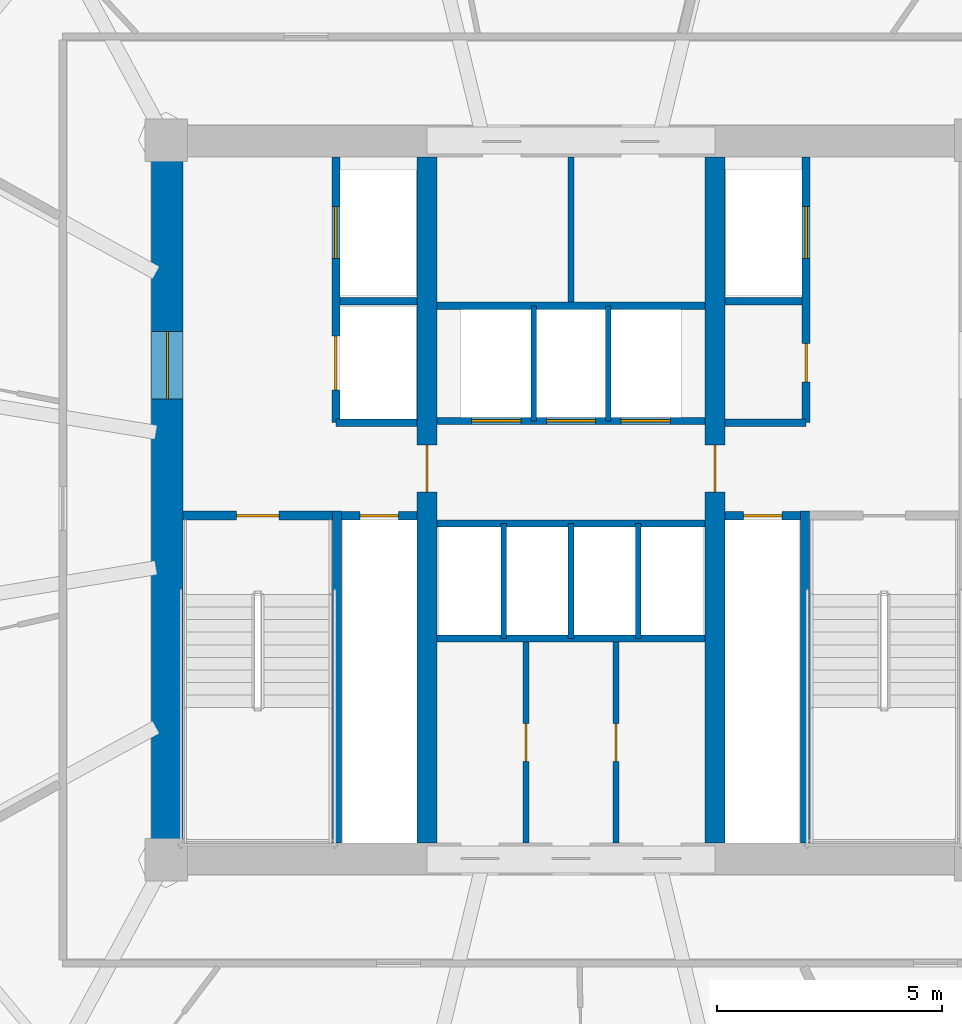
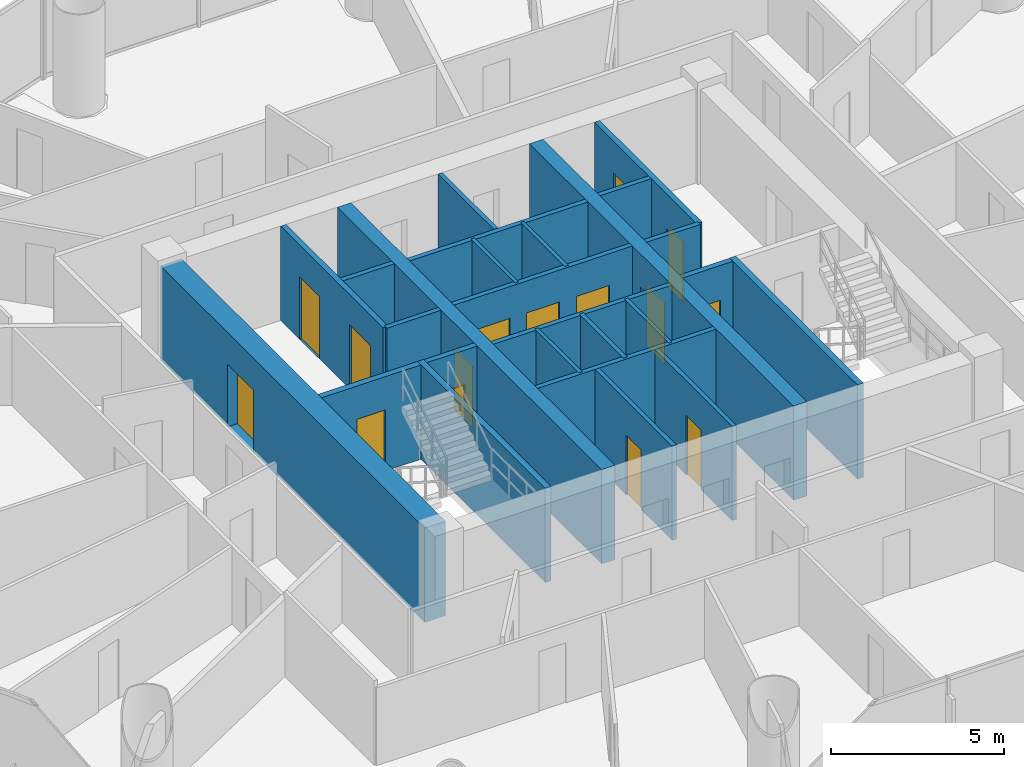
# One storey, part 22 of 28: 26 walls, 15 doors, 15 openings.
"""IFC4 building model written with IfcOpenShell, lengths in metres."""

from ifc_helpers import new_model, si_unit, direction, frame, frame_2d, origin, place, context, subcontext, project, spatial, rectangle, extrude, source, transform, mapped, material, layer, layer_set, type_object, element, fill, save


model = new_model("IFC4")

# Units and contexts
model_context = context("Model", 3, precision=1e-05, world=origin(), true_north=direction((-0.2419218956, 0.970295726276)))
body_context = subcontext(model_context, "Body", "Model", "MODEL_VIEW")
ifc_project = project(units=[si_unit("LENGTHUNIT", "METRE"), si_unit("AREAUNIT", "SQUARE_METRE"), si_unit("VOLUMEUNIT", "CUBIC_METRE"), si_unit("PLANEANGLEUNIT", "RADIAN"), si_unit("MASSUNIT", "GRAM", prefix="KILO")], contexts=[model_context])

# Site, building, storey
site_placement = place(None, origin())
site = spatial("IfcSite", under=ifc_project, at=site_placement, CompositionType="ELEMENT")
building_placement = place(site_placement, origin())
building = spatial("IfcBuilding", under=site, at=building_placement, Name="Cobrevalo Terracotta Tower", CompositionType="ELEMENT")
storey_placement = place(building_placement, frame((0.0, 0.0, 101.39990234375)))
storey = spatial("IfcBuildingStorey", under=building, at=storey_placement, Name="L26", CompositionType="ELEMENT", Elevation=101.39990234375)

# Wall, opening, door
ifc_material_1 = material(Name="Concrete C60", Category="concrete")
ifc_layer_1 = layer(ifc_material_1, 0.699951171875)
ifc_layer_set_1 = layer_set([ifc_layer_1], Name="Concrete C60")
wall_type_1 = type_object("IfcWallType", Name="Core shear wall 700 mm Concrete C60", PredefinedType="SHEAR", material=ifc_layer_set_1)
wall_1_placement = place(storey_placement, frame((29.02490234375, 19.175048828125, 0.0), z_axis=(0.0, 0.0, 1.0), x_axis=(0.0, 1.0, 0.0)))
wall_1 = element("IfcWall", 1, at=wall_1_placement, inside=storey, type_object=wall_type_1, Name="L26 west core shear wall", PredefinedType="SHEAR", context=body_context, shape_type="SweptSolid", body=[
    extrude(rectangle(XDim=15.25, YDim=0.699951171875, at=frame_2d((7.625, 0.0))), origin(), (0.0, 0.0, 1.0), 3.3251953125),
])
opening_1_placement = place(wall_1_placement, frame((9.875, 0.0, 0.0)))
opening_1 = element("IfcOpeningElement", 2, at=opening_1_placement, cuts=wall_1, Name="Opening ID-14", PredefinedType="OPENING", context=body_context, shape_type="SweptSolid", body=[
    extrude(rectangle(XDim=1.5, YDim=2.199951171875, at=frame_2d((0.75, 1.10009765625))), frame((0.0, 0.35986328125, 0.0), z_axis=(0.0, -1.0, 0.0), x_axis=(1.0, 0.0, 0.0)), (0.0, 0.0, 1.0), 0.719970703125),
])
ifc_material_2 = material(Name="Galvanized fire-rated steel", Category="steel")
door_type_1 = type_object("IfcDoorType", Name="Core cross-lobby double fire door 1500x2200 EI 90", OperationType="NOTDEFINED", PredefinedType="DOOR", material=ifc_material_2)
shared_shape_1 = source(origin(), body_context, "Body", "SweptSolid", [
    extrude(rectangle(XDim=1.5, YDim=2.199951171875, at=frame_2d((0.75, 1.10009765625))), frame((0.0, 0.02490234375, 0.0), z_axis=(0.0, -1.0, 0.0), x_axis=(1.0, 0.0, 0.0)), (0.0, 0.0, 1.0), 0.050048828125),
])
door_1_placement = place(opening_1_placement, origin())
door_1 = element("IfcDoor", 3, at=door_1_placement, inside=storey, type_object=door_type_1, Name="L26 west firefighting lobby entrance door", OperationType="DOUBLE_DOOR_SINGLE_SWING", OverallHeight=2.199951171875, OverallWidth=1.5, PredefinedType="DOOR", context=body_context, shape_type="MappedRepresentation", body=[
    mapped(shared_shape_1, transform((0.0, 0.0, 0.0), scale=1.0)),
])
fill(opening_1, door_1)

# Walls
ifc_material_3 = material(Name="Gypsum board on steel stud", Category="steel")
ifc_layer_2 = layer(ifc_material_3, 0.159912109375)
ifc_layer_set_2 = layer_set([ifc_layer_2], Name="Gypsum board on steel stud")
wall_type_2 = type_object("IfcWallType", Name="Fire-rated corridor acoustic partition wall 160 mm", PredefinedType="PARTITIONING", material=ifc_layer_set_2)
wall_2_placement = place(storey_placement, frame((32.860107421875, 31.219970703125, 0.0), z_axis=(0.0, 0.0, 1.0), x_axis=(1.0, 0.0, 0.0)))
element("IfcWall", 4, at=wall_2_placement, inside=storey, type_object=wall_type_2, Name="L26 interior partition IW-L26-FF1-M", PredefinedType="PARTITIONING", context=body_context, shape_type="SweptSolid", body=[
    extrude(rectangle(XDim=1.71484375, YDim=0.159912109375, at=frame_2d((0.857421875, 0.0))), origin(), (0.0, 0.0, 1.0), 3.3251953125),
])
wall_3_placement = place(storey_placement, frame((32.77001953125, 28.52001953125, 0.0), z_axis=(0.0, 0.0, 1.0), x_axis=(1.0, 0.0, 0.0)))
element("IfcWall", 5, at=wall_3_placement, inside=storey, type_object=wall_type_2, Name="L26 interior partition IW-L26-FF1-S", PredefinedType="PARTITIONING", context=body_context, shape_type="SweptSolid", body=[
    extrude(rectangle(XDim=1.804931640625, YDim=0.159912109375, at=frame_2d((0.90234375, 0.0))), origin(), (0.0, 0.0, 1.0), 3.3251953125),
])
wall_4_placement = place(storey_placement, frame((41.425048828125, 31.219970703125, 0.0), z_axis=(0.0, 0.0, 1.0), x_axis=(1.0, 0.0, 0.0)))
element("IfcWall", 6, at=wall_4_placement, inside=storey, type_object=wall_type_2, Name="L26 interior partition IW-L26-FF2-M", PredefinedType="PARTITIONING", context=body_context, shape_type="SweptSolid", body=[
    extrude(rectangle(XDim=1.71484375, YDim=0.159912109375, at=frame_2d((0.857421875, 0.0))), origin(), (0.0, 0.0, 1.0), 3.3251953125),
])
wall_5_placement = place(storey_placement, frame((41.425048828125, 28.52001953125, 0.0), z_axis=(0.0, 0.0, 1.0), x_axis=(1.0, 0.0, 0.0)))
element("IfcWall", 7, at=wall_5_placement, inside=storey, type_object=wall_type_2, Name="L26 interior partition IW-L26-FF2-S", PredefinedType="PARTITIONING", context=body_context, shape_type="SweptSolid", body=[
    extrude(rectangle(XDim=1.804931640625, YDim=0.159912109375, at=frame_2d((0.90234375, 0.0))), origin(), (0.0, 0.0, 1.0), 3.3251953125),
])

# Wall, openings, doors
wall_6_placement = place(storey_placement, frame((35.02490234375, 28.56005859375, 0.0), z_axis=(0.0, 0.0, 1.0), x_axis=(1.0, 0.0, 0.0)))
wall_6 = element("IfcWall", 8, at=wall_6_placement, inside=storey, type_object=wall_type_2, Name="L26 interior partition IW-L26-LB-S", PredefinedType="PARTITIONING", context=body_context, shape_type="SweptSolid", body=[
    extrude(rectangle(XDim=5.9501953125, YDim=0.159912109375, at=frame_2d((2.97509765625, 0.0))), origin(), (0.0, 0.0, 1.0), 3.3251953125),
])
opening_2_placement = place(wall_6_placement, frame((0.760009765625, 0.0, 0.0)))
opening_2 = element("IfcOpeningElement", 9, at=opening_2_placement, cuts=wall_6, Name="Opening LD-01", PredefinedType="OPENING", context=body_context, shape_type="SweptSolid", body=[
    extrude(rectangle(XDim=1.10009765625, YDim=2.199951171875, at=frame_2d((0.550048828125, 1.10009765625))), frame((0.0, 0.08984375, 0.0), z_axis=(0.0, -1.0, 0.0), x_axis=(1.0, 0.0, 0.0)), (0.0, 0.0, 1.0), 0.179931640625),
])
opening_3_placement = place(wall_6_placement, frame((2.425048828125, 0.0, 0.0)))
opening_3 = element("IfcOpeningElement", 10, at=opening_3_placement, cuts=wall_6, Name="Opening LD-01", PredefinedType="OPENING", context=body_context, shape_type="SweptSolid", body=[
    extrude(rectangle(XDim=1.10009765625, YDim=2.199951171875, at=frame_2d((0.550048828125, 1.10009765625))), frame((0.0, 0.08984375, 0.0), z_axis=(0.0, -1.0, 0.0), x_axis=(1.0, 0.0, 0.0)), (0.0, 0.0, 1.0), 0.179931640625),
])
opening_4_placement = place(wall_6_placement, frame((4.090087890625, 0.0, 0.0)))
opening_4 = element("IfcOpeningElement", 11, at=opening_4_placement, cuts=wall_6, Name="Opening LD-01", PredefinedType="OPENING", context=body_context, shape_type="SweptSolid", body=[
    extrude(rectangle(XDim=1.10009765625, YDim=2.199951171875, at=frame_2d((0.550048828125, 1.10009765625))), frame((0.0, 0.08984375, 0.0), z_axis=(0.0, -1.0, 0.0), x_axis=(1.0, 0.0, 0.0)), (0.0, 0.0, 1.0), 0.179931640625),
])
ifc_material_4 = material(Name="Brushed stainless steel", Category="steel")
door_type_2 = type_object("IfcDoorType", Name="Passenger lift landing bi-parting sliding door 1100x2200 EI 90", OperationType="DOUBLE_DOOR_SLIDING", PredefinedType="DOOR", material=ifc_material_4)
shared_shape_2 = source(origin(), body_context, "Body", "SweptSolid", [
    extrude(rectangle(XDim=1.10009765625, YDim=2.199951171875, at=frame_2d((0.550048828125, 1.10009765625))), frame((0.0, 0.02490234375, 0.0), z_axis=(0.0, -1.0, 0.0), x_axis=(1.0, 0.0, 0.0)), (0.0, 0.0, 1.0), 0.050048828125),
])
door_2_placement = place(opening_2_placement, origin())
door_2 = element("IfcDoor", 12, at=door_2_placement, inside=storey, type_object=door_type_2, Name="L26 lift landing door PL-L1", OperationType="DOUBLE_DOOR_SLIDING", OverallHeight=2.199951171875, OverallWidth=1.10009765625, PredefinedType="DOOR", context=body_context, shape_type="MappedRepresentation", body=[
    mapped(shared_shape_2, transform((0.0, 0.0, 0.0), scale=1.0)),
])
fill(opening_2, door_2)
door_3_placement = place(opening_3_placement, origin())
door_3 = element("IfcDoor", 13, at=door_3_placement, inside=storey, type_object=door_type_2, Name="L26 lift landing door PL-L2", OperationType="DOUBLE_DOOR_SLIDING", OverallHeight=2.199951171875, OverallWidth=1.10009765625, PredefinedType="DOOR", context=body_context, shape_type="MappedRepresentation", body=[
    mapped(shared_shape_2, transform((0.0, 0.0, 0.0), scale=1.0)),
])
fill(opening_3, door_3)
door_4_placement = place(opening_4_placement, origin())
door_4 = element("IfcDoor", 14, at=door_4_placement, inside=storey, type_object=door_type_2, Name="L26 lift landing door PL-L3", OperationType="DOUBLE_DOOR_SLIDING", OverallHeight=2.199951171875, OverallWidth=1.10009765625, PredefinedType="DOOR", context=body_context, shape_type="MappedRepresentation", body=[
    mapped(shared_shape_2, transform((0.0, 0.0, 0.0), scale=1.0)),
])
fill(opening_4, door_4)

# Walls
for number, where, z_axis, x_axis, name in (
    (15, (35.02490234375, 31.1201171875, 0.0), (0.0, 0.0, 1.0), (1.0, 0.0, 0.0), "L26 interior partition IW-L26-LB-N"),
    (16, (35.02490234375, 26.280029296875, 0.0), (0.0, 0.0, 1.0), (1.0, 0.0, 0.0), "L26 interior partition IW-L26-MB-N"),
    (17, (35.02490234375, 23.719970703125, 0.0), (0.0, 0.0, 1.0), (1.0, 0.0, 0.0), "L26 interior partition IW-L26-MB-S"),
):
    element("IfcWall", number, at=place(storey_placement, frame(where, z_axis=z_axis, x_axis=x_axis)), inside=storey, type_object=wall_type_2, Name=name, PredefinedType="PARTITIONING", context=body_context, shape_type="SweptSolid", body=[
        extrude(rectangle(XDim=5.9501953125, YDim=0.159912109375, at=frame_2d((2.97509765625, 0.0))), origin(), (0.0, 0.0, 1.0), 3.3251953125),
    ])

# Wall, opening, door
ifc_layer_3 = layer(ifc_material_3, 0.179931640625)
ifc_layer_set_3 = layer_set([ifc_layer_3], Name="Gypsum board on steel stud")
wall_type_3 = type_object("IfcWallType", Name="Fire-rated shaft & lobby acoustic partition wall 180 mm", PredefinedType="PARTITIONING", material=ifc_layer_set_3)
wall_7_placement = place(storey_placement, frame((32.89990234375, 26.449951171875, 0.0), z_axis=(0.0, 0.0, 1.0), x_axis=(1.0, 0.0, 0.0)))
wall_7 = element("IfcWall", 18, at=wall_7_placement, inside=storey, type_object=wall_type_3, Name="L26 interior partition IW-L26-RSW-N", PredefinedType="PARTITIONING", context=body_context, shape_type="SweptSolid", body=[
    extrude(rectangle(XDim=1.675048828125, YDim=0.179931640625, at=frame_2d((0.83740234375, 0.0))), origin(), (0.0, 0.0, 1.0), 3.3251953125),
])
opening_5_placement = place(wall_7_placement, frame((0.41259765625, 0.0, 0.0)))
opening_5 = element("IfcOpeningElement", 19, at=opening_5_placement, cuts=wall_7, Name="Opening ID-22", PredefinedType="OPENING", context=body_context, shape_type="SweptSolid", body=[
    extrude(rectangle(XDim=0.85009765625, YDim=2.10009765625, at=frame_2d((0.425048828125, 1.050048828125))), frame((0.0, 0.10009765625, 0.0), z_axis=(0.0, -1.0, 0.0), x_axis=(1.0, 0.0, 0.0)), (0.0, 0.0, 1.0), 0.199951171875),
])
ifc_material_5 = material(Name="Powder-coated steel", Category="steel")
door_type_3 = type_object("IfcDoorType", Name="Riser shaft & meter closet fire access door 850x2100 EI 60", OperationType="NOTDEFINED", PredefinedType="DOOR", material=ifc_material_5)
shared_shape_3 = source(origin(), body_context, "Body", "SweptSolid", [
    extrude(rectangle(XDim=0.85009765625, YDim=2.10009765625, at=frame_2d((0.425048828125, 1.050048828125))), frame((0.0, 0.02490234375, 0.0), z_axis=(0.0, -1.0, 0.0), x_axis=(1.0, 0.0, 0.0)), (0.0, 0.0, 1.0), 0.050048828125),
])
door_5_placement = place(opening_5_placement, origin())
door_5 = element("IfcDoor", 20, at=door_5_placement, inside=storey, type_object=door_type_3, Name="L26 riser access door RSW", OperationType="SINGLE_SWING_LEFT", OverallHeight=2.10009765625, OverallWidth=0.85009765625, PredefinedType="DOOR", context=body_context, shape_type="MappedRepresentation", body=[
    mapped(shared_shape_3, transform((0.0, 0.0, 0.0), scale=1.0)),
])
fill(opening_5, door_5)

wall_8_placement = place(storey_placement, frame((41.425048828125, 26.449951171875, 0.0), z_axis=(0.0, 0.0, 1.0), x_axis=(1.0, 0.0, 0.0)))
wall_8 = element("IfcWall", 21, at=wall_8_placement, inside=storey, type_object=wall_type_3, Name="L26 interior partition IW-L26-RSE-N", PredefinedType="PARTITIONING", context=body_context, shape_type="SweptSolid", body=[
    extrude(rectangle(XDim=1.675048828125, YDim=0.179931640625, at=frame_2d((0.83740234375, 0.0))), origin(), (0.0, 0.0, 1.0), 3.3251953125),
])
opening_6_placement = place(wall_8_placement, frame((0.41259765625, 0.0, 0.0)))
opening_6 = element("IfcOpeningElement", 22, at=opening_6_placement, cuts=wall_8, Name="Opening ID-22", PredefinedType="OPENING", context=body_context, shape_type="SweptSolid", body=[
    extrude(rectangle(XDim=0.85009765625, YDim=2.10009765625, at=frame_2d((0.425048828125, 1.050048828125))), frame((0.0, 0.10009765625, 0.0), z_axis=(0.0, -1.0, 0.0), x_axis=(1.0, 0.0, 0.0)), (0.0, 0.0, 1.0), 0.199951171875),
])
door_6_placement = place(opening_6_placement, origin())
door_6 = element("IfcDoor", 23, at=door_6_placement, inside=storey, type_object=door_type_3, Name="L26 riser access door RSE", OperationType="SINGLE_SWING_RIGHT", OverallHeight=2.10009765625, OverallWidth=0.85009765625, PredefinedType="DOOR", context=body_context, shape_type="MappedRepresentation", body=[
    mapped(shared_shape_3, transform((0.0, 0.0, 0.0), scale=1.0)),
])
fill(opening_6, door_6)

# Wall, openings, doors
wall_9_placement = place(storey_placement, frame((32.77001953125, 28.52001953125, 0.0), z_axis=(0.0, 0.0, 1.0), x_axis=(0.0, 1.0, 0.0)))
wall_9 = element("IfcWall", 24, at=wall_9_placement, inside=storey, type_object=wall_type_3, Name="L26 interior partition IW-L26-FF1-W", PredefinedType="PARTITIONING", context=body_context, shape_type="SweptSolid", body=[
    extrude(rectangle(XDim=5.905029296875, YDim=0.179931640625, at=frame_2d((2.95263671875, 0.0))), origin(), (0.0, 0.0, 1.0), 3.3251953125),
])
opening_7_placement = place(wall_9_placement, frame((3.655029296875, 0.0, 0.0)))
opening_7 = element("IfcOpeningElement", 25, at=opening_7_placement, cuts=wall_9, Name="Opening LD-02", PredefinedType="OPENING", context=body_context, shape_type="SweptSolid", body=[
    extrude(rectangle(XDim=1.14990234375, YDim=2.199951171875, at=frame_2d((0.574951171875, 1.10009765625))), frame((0.0, 0.10009765625, 0.0), z_axis=(0.0, -1.0, 0.0), x_axis=(1.0, 0.0, 0.0)), (0.0, 0.0, 1.0), 0.199951171875),
])
opening_8_placement = place(wall_9_placement, frame((0.72998046875, 0.0, 0.0)))
opening_8 = element("IfcOpeningElement", 26, at=opening_8_placement, cuts=wall_9, Name="Opening LD-03", PredefinedType="OPENING", context=body_context, shape_type="SweptSolid", body=[
    extrude(rectangle(XDim=1.199951171875, YDim=2.25, at=frame_2d((0.60009765625, 1.125))), frame((0.0, 0.10009765625, 0.0), z_axis=(0.0, -1.0, 0.0), x_axis=(1.0, 0.0, 0.0)), (0.0, 0.0, 1.0), 0.199951171875),
])
door_type_4 = type_object("IfcDoorType", Name="Firefighting lift landing bi-parting sliding door 1150x2200 EI 120", OperationType="DOUBLE_DOOR_SLIDING", PredefinedType="DOOR", material=ifc_material_4)
shared_shape_4 = source(origin(), body_context, "Body", "SweptSolid", [
    extrude(rectangle(XDim=1.14990234375, YDim=2.199951171875, at=frame_2d((0.574951171875, 1.10009765625))), frame((0.0, 0.02490234375, 0.0), z_axis=(0.0, -1.0, 0.0), x_axis=(1.0, 0.0, 0.0)), (0.0, 0.0, 1.0), 0.050048828125),
])
door_7_placement = place(opening_7_placement, origin())
door_7 = element("IfcDoor", 27, at=door_7_placement, inside=storey, type_object=door_type_4, Name="L26 lift landing door FF-1", OperationType="DOUBLE_DOOR_SLIDING", OverallHeight=2.199951171875, OverallWidth=1.14990234375, PredefinedType="DOOR", context=body_context, shape_type="MappedRepresentation", body=[
    mapped(shared_shape_4, transform((0.0, 0.0, 0.0), scale=1.0)),
])
fill(opening_7, door_7)
door_type_5 = type_object("IfcDoorType", Name="Service lift landing bi-parting sliding door 1200x2250 EI 120", OperationType="DOUBLE_DOOR_SLIDING", PredefinedType="DOOR", material=ifc_material_4)
shared_shape_5 = source(origin(), body_context, "Body", "SweptSolid", [
    extrude(rectangle(XDim=1.199951171875, YDim=2.25, at=frame_2d((0.60009765625, 1.125))), frame((0.0, 0.02490234375, 0.0), z_axis=(0.0, -1.0, 0.0), x_axis=(1.0, 0.0, 0.0)), (0.0, 0.0, 1.0), 0.050048828125),
])
door_8_placement = place(opening_8_placement, origin())
door_8 = element("IfcDoor", 28, at=door_8_placement, inside=storey, type_object=door_type_5, Name="L26 lift landing door SV-1", OperationType="DOUBLE_DOOR_SLIDING", OverallHeight=2.25, OverallWidth=1.199951171875, PredefinedType="DOOR", context=body_context, shape_type="MappedRepresentation", body=[
    mapped(shared_shape_5, transform((0.0, 0.0, 0.0), scale=1.0)),
])
fill(opening_8, door_8)

wall_10_placement = place(storey_placement, frame((43.22998046875, 28.52001953125, 0.0), z_axis=(0.0, 0.0, 1.0), x_axis=(0.0, 1.0, 0.0)))
wall_10 = element("IfcWall", 29, at=wall_10_placement, inside=storey, type_object=wall_type_3, Name="L26 interior partition IW-L26-FF2-E", PredefinedType="PARTITIONING", context=body_context, shape_type="SweptSolid", body=[
    extrude(rectangle(XDim=5.905029296875, YDim=0.179931640625, at=frame_2d((2.95263671875, 0.0))), origin(), (0.0, 0.0, 1.0), 3.3251953125),
])
opening_9_placement = place(wall_10_placement, frame((0.905029296875, 0.0, 0.0)))
opening_9 = element("IfcOpeningElement", 30, at=opening_9_placement, cuts=wall_10, Name="Opening ID-22", PredefinedType="OPENING", context=body_context, shape_type="SweptSolid", body=[
    extrude(rectangle(XDim=0.85009765625, YDim=2.10009765625, at=frame_2d((0.425048828125, 1.050048828125))), frame((0.0, 0.10009765625, 0.0), z_axis=(0.0, -1.0, 0.0), x_axis=(1.0, 0.0, 0.0)), (0.0, 0.0, 1.0), 0.199951171875),
])
opening_10_placement = place(wall_10_placement, frame((3.655029296875, 0.0, 0.0)))
opening_10 = element("IfcOpeningElement", 31, at=opening_10_placement, cuts=wall_10, Name="Opening LD-02", PredefinedType="OPENING", context=body_context, shape_type="SweptSolid", body=[
    extrude(rectangle(XDim=1.14990234375, YDim=2.199951171875, at=frame_2d((0.574951171875, 1.10009765625))), frame((0.0, 0.10009765625, 0.0), z_axis=(0.0, -1.0, 0.0), x_axis=(1.0, 0.0, 0.0)), (0.0, 0.0, 1.0), 0.199951171875),
])
door_9_placement = place(opening_9_placement, frame((0.85009765625, 0.0, 0.0), z_axis=(0.0, 0.0, 1.0), x_axis=(-1.0, 0.0, 0.0)))
door_9 = element("IfcDoor", 32, at=door_9_placement, inside=storey, type_object=door_type_3, Name="L26 housekeeping store door", OperationType="SINGLE_SWING_RIGHT", OverallHeight=2.10009765625, OverallWidth=0.85009765625, PredefinedType="DOOR", context=body_context, shape_type="MappedRepresentation", body=[
    mapped(shared_shape_3, transform((0.0, 0.0, 0.0), scale=1.0)),
])
fill(opening_9, door_9)
door_10_placement = place(opening_10_placement, origin())
door_10 = element("IfcDoor", 33, at=door_10_placement, inside=storey, type_object=door_type_4, Name="L26 lift landing door FF-2", OperationType="DOUBLE_DOOR_SLIDING", OverallHeight=2.199951171875, OverallWidth=1.14990234375, PredefinedType="DOOR", context=body_context, shape_type="MappedRepresentation", body=[
    mapped(shared_shape_4, transform((0.0, 0.0, 0.0), scale=1.0)),
])
fill(opening_10, door_10)

# Walls
ifc_material_6 = material(Name="Autoclaved aerated concrete block", Category="concrete")
ifc_layer_4 = layer(ifc_material_6, 0.1201171875)
ifc_layer_set_4 = layer_set([ifc_layer_4], Name="Autoclaved aerated concrete block")
wall_type_4 = type_object("IfcWallType", Name="Fire-rated wet-room & core service partition 120 mm", PredefinedType="PARTITIONING", material=ifc_layer_set_4)
for number, where, z_axis, x_axis, name in (
    (34, (37.169921875, 28.56005859375, 0.0), (0.0, 0.0, 1.0), (0.0, 1.0, 0.0), "L26 interior partition IW-L26-LB-D1"),
    (35, (38.830078125, 28.56005859375, 0.0), (0.0, 0.0, 1.0), (0.0, 1.0, 0.0), "L26 interior partition IW-L26-LB-D2"),
    (36, (36.5, 23.719970703125, 0.0), (0.0, 0.0, 1.0), (0.0, 1.0, 0.0), "L26 interior partition IW-L26-MB-D1"),
    (37, (39.5, 23.719970703125, 0.0), (0.0, 0.0, 1.0), (0.0, 1.0, 0.0), "L26 interior partition IW-L26-MB-D3"),
):
    element("IfcWall", number, at=place(storey_placement, frame(where, z_axis=z_axis, x_axis=x_axis)), inside=storey, type_object=wall_type_4, Name=name, PredefinedType="PARTITIONING", context=body_context, shape_type="SweptSolid", body=[
        extrude(rectangle(XDim=2.56005859375, YDim=0.1201171875, at=frame_2d((1.280029296875, 0.0))), origin(), (0.0, 0.0, 1.0), 3.3251953125),
    ])

# Wall, opening, door
ifc_material_7 = material(Name="Concrete C55", Category="concrete")
ifc_layer_5 = layer(ifc_material_7, 0.449951171875)
ifc_layer_set_5 = layer_set([ifc_layer_5], Name="Concrete C55")
wall_type_5 = type_object("IfcWallType", Name="Internal core shear web wall 450 mm Concrete C55", PredefinedType="SHEAR", material=ifc_layer_set_5)
wall_11_placement = place(storey_placement, frame((34.800048828125, 19.175048828125, 0.0), z_axis=(0.0, 0.0, 1.0), x_axis=(0.0, 1.0, 0.0)))
wall_11 = element("IfcWall", 38, at=wall_11_placement, inside=storey, type_object=wall_type_5, Name="L26 internal core shear wall WEB-W", PredefinedType="SHEAR", context=body_context, shape_type="SweptSolid", body=[
    extrude(rectangle(XDim=15.25, YDim=0.449951171875, at=frame_2d((7.625, 0.0))), origin(), (0.0, 0.0, 1.0), 3.3251953125),
])
opening_11_placement = place(wall_11_placement, frame((7.800048828125, 0.0, 0.0)))
opening_11 = element("IfcOpeningElement", 39, at=opening_11_placement, cuts=wall_11, Name="Opening ID-11", PredefinedType="OPENING", context=body_context, shape_type="SweptSolid", body=[
    extrude(rectangle(XDim=1.050048828125, YDim=2.14990234375, at=frame_2d((0.52490234375, 1.074951171875))), frame((0.0, 0.23486328125, 0.0), z_axis=(0.0, -1.0, 0.0), x_axis=(1.0, 0.0, 0.0)), (0.0, 0.0, 1.0), 0.469970703125),
])
door_type_6 = type_object("IfcDoorType", Name="Core concourse cross fire door 1050x2150 EI 90", OperationType="NOTDEFINED", PredefinedType="DOOR", material=ifc_material_2)
shared_shape_6 = source(origin(), body_context, "Body", "SweptSolid", [
    extrude(rectangle(XDim=1.050048828125, YDim=2.14990234375, at=frame_2d((0.52490234375, 1.074951171875))), frame((0.0, 0.02490234375, 0.0), z_axis=(0.0, -1.0, 0.0), x_axis=(1.0, 0.0, 0.0)), (0.0, 0.0, 1.0), 0.050048828125),
])
door_11_placement = place(opening_11_placement, origin())
door_11 = element("IfcDoor", 40, at=door_11_placement, inside=storey, type_object=door_type_6, Name="L26 west core concourse cross door", OperationType="SINGLE_SWING_LEFT", OverallHeight=2.14990234375, OverallWidth=1.050048828125, PredefinedType="DOOR", context=body_context, shape_type="MappedRepresentation", body=[
    mapped(shared_shape_6, transform((0.0, 0.0, 0.0), scale=1.0)),
])
fill(opening_11, door_11)

wall_12_placement = place(storey_placement, frame((41.199951171875, 19.175048828125, 0.0), z_axis=(0.0, 0.0, 1.0), x_axis=(0.0, 1.0, 0.0)))
wall_12 = element("IfcWall", 41, at=wall_12_placement, inside=storey, type_object=wall_type_5, Name="L26 internal core shear wall WEB-E", PredefinedType="SHEAR", context=body_context, shape_type="SweptSolid", body=[
    extrude(rectangle(XDim=15.25, YDim=0.449951171875, at=frame_2d((7.625, 0.0))), origin(), (0.0, 0.0, 1.0), 3.3251953125),
])
opening_12_placement = place(wall_12_placement, frame((7.800048828125, 0.0, 0.0)))
opening_12 = element("IfcOpeningElement", 42, at=opening_12_placement, cuts=wall_12, Name="Opening ID-11", PredefinedType="OPENING", context=body_context, shape_type="SweptSolid", body=[
    extrude(rectangle(XDim=1.050048828125, YDim=2.14990234375, at=frame_2d((0.52490234375, 1.074951171875))), frame((0.0, 0.23486328125, 0.0), z_axis=(0.0, -1.0, 0.0), x_axis=(1.0, 0.0, 0.0)), (0.0, 0.0, 1.0), 0.469970703125),
])
door_12_placement = place(opening_12_placement, frame((1.050048828125, 0.0, 0.0), z_axis=(0.0, 0.0, 1.0), x_axis=(-1.0, 0.0, 0.0)))
door_12 = element("IfcDoor", 43, at=door_12_placement, inside=storey, type_object=door_type_6, Name="L26 east core concourse cross door", OperationType="SINGLE_SWING_RIGHT", OverallHeight=2.14990234375, OverallWidth=1.050048828125, PredefinedType="DOOR", context=body_context, shape_type="MappedRepresentation", body=[
    mapped(shared_shape_6, transform((0.0, 0.0, 0.0), scale=1.0)),
])
fill(opening_12, door_12)

# Walls
ifc_layer_6 = layer(ifc_material_6, 0.139892578125)
ifc_layer_set_6 = layer_set([ifc_layer_6], Name="Autoclaved aerated concrete block")
wall_type_6 = type_object("IfcWallType", Name="Moisture-resistant wet-room & core service partition 140 mm", PredefinedType="PARTITIONING", material=ifc_layer_set_6)
wall_13_placement = place(storey_placement, frame((38.0, 31.199951171875, 0.0), z_axis=(0.0, 0.0, 1.0), x_axis=(0.0, 1.0, 0.0)))
element("IfcWall", 44, at=wall_13_placement, inside=storey, type_object=wall_type_6, Name="L26 interior partition IW-L26-KVN-1", PredefinedType="PARTITIONING", context=body_context, shape_type="SweptSolid", body=[
    extrude(rectangle(XDim=3.22509765625, YDim=0.139892578125, at=frame_2d((1.612548828125, 0.0))), origin(), (0.0, 0.0, 1.0), 3.3251953125),
])
wall_14_placement = place(storey_placement, frame((38.0, 23.719970703125, 0.0), z_axis=(0.0, 0.0, 1.0), x_axis=(0.0, 1.0, 0.0)))
element("IfcWall", 45, at=wall_14_placement, inside=storey, type_object=wall_type_6, Name="L26 interior partition IW-L26-MB-D2", PredefinedType="PARTITIONING", context=body_context, shape_type="SweptSolid", body=[
    extrude(rectangle(XDim=2.56005859375, YDim=0.139892578125, at=frame_2d((1.280029296875, 0.0))), origin(), (0.0, 0.0, 1.0), 3.3251953125),
])

# Wall, opening, door
wall_15_placement = place(storey_placement, frame((37.0, 19.175048828125, 0.0), z_axis=(0.0, 0.0, 1.0), x_axis=(0.0, 1.0, 0.0)))
wall_15 = element("IfcWall", 46, at=wall_15_placement, inside=storey, type_object=wall_type_6, Name="L26 interior partition IW-L26-KVS-V1", PredefinedType="PARTITIONING", context=body_context, shape_type="SweptSolid", body=[
    extrude(rectangle(XDim=4.46484375, YDim=0.139892578125, at=frame_2d((2.232421875, 0.0))), origin(), (0.0, 0.0, 1.0), 3.3251953125),
])
opening_13_placement = place(wall_15_placement, frame((1.8076171875, 0.0, 0.0)))
opening_13 = element("IfcOpeningElement", 47, at=opening_13_placement, cuts=wall_15, Name="Opening ID-22", PredefinedType="OPENING", context=body_context, shape_type="SweptSolid", body=[
    extrude(rectangle(XDim=0.85009765625, YDim=2.10009765625, at=frame_2d((0.425048828125, 1.050048828125))), frame((0.0, 0.080078125, 0.0), z_axis=(0.0, -1.0, 0.0), x_axis=(1.0, 0.0, 0.0)), (0.0, 0.0, 1.0), 0.159912109375),
])
door_13_placement = place(opening_13_placement, origin())
door_13 = element("IfcDoor", 48, at=door_13_placement, inside=storey, type_object=door_type_3, Name="L26 core KVS-V1 inner door", OperationType="SINGLE_SWING_LEFT", OverallHeight=2.10009765625, OverallWidth=0.85009765625, PredefinedType="DOOR", context=body_context, shape_type="MappedRepresentation", body=[
    mapped(shared_shape_3, transform((0.0, 0.0, 0.0), scale=1.0)),
])
fill(opening_13, door_13)

wall_16_placement = place(storey_placement, frame((39.0, 19.175048828125, 0.0), z_axis=(0.0, 0.0, 1.0), x_axis=(0.0, 1.0, 0.0)))
wall_16 = element("IfcWall", 49, at=wall_16_placement, inside=storey, type_object=wall_type_6, Name="L26 interior partition IW-L26-KVS-V2", PredefinedType="PARTITIONING", context=body_context, shape_type="SweptSolid", body=[
    extrude(rectangle(XDim=4.46484375, YDim=0.139892578125, at=frame_2d((2.232421875, 0.0))), origin(), (0.0, 0.0, 1.0), 3.3251953125),
])
opening_14_placement = place(wall_16_placement, frame((1.8076171875, 0.0, 0.0)))
opening_14 = element("IfcOpeningElement", 50, at=opening_14_placement, cuts=wall_16, Name="Opening ID-22", PredefinedType="OPENING", context=body_context, shape_type="SweptSolid", body=[
    extrude(rectangle(XDim=0.85009765625, YDim=2.10009765625, at=frame_2d((0.425048828125, 1.050048828125))), frame((0.0, 0.080078125, 0.0), z_axis=(0.0, -1.0, 0.0), x_axis=(1.0, 0.0, 0.0)), (0.0, 0.0, 1.0), 0.159912109375),
])
door_14_placement = place(opening_14_placement, origin())
door_14 = element("IfcDoor", 51, at=door_14_placement, inside=storey, type_object=door_type_3, Name="L26 core KVS-V2 inner door", OperationType="SINGLE_SWING_LEFT", OverallHeight=2.10009765625, OverallWidth=0.85009765625, PredefinedType="DOOR", context=body_context, shape_type="MappedRepresentation", body=[
    mapped(shared_shape_3, transform((0.0, 0.0, 0.0), scale=1.0)),
])
fill(opening_14, door_14)

# Wall
ifc_material_8 = material(Name="Concrete C50", Category="concrete")
ifc_layer_7 = layer(ifc_material_8, 0.199951171875)
ifc_layer_set_7 = layer_set([ifc_layer_7], Name="Concrete C50")
wall_type_7 = type_object("IfcWallType", Name="Structural core & podium stair-shaft RC wall 200 mm Concrete C50", PredefinedType="SOLIDWALL", material=ifc_layer_set_7)
wall_17_placement = place(storey_placement, frame((32.794921875, 19.175048828125, 0.0), z_axis=(0.0, 0.0, 1.0), x_axis=(0.0, 1.0, 0.0)))
element("IfcWall", 52, at=wall_17_placement, inside=storey, type_object=wall_type_7, Name="L26 ST-1 east structural shaft wall", PredefinedType="SOLIDWALL", context=body_context, shape_type="SweptSolid", body=[
    extrude(rectangle(XDim=7.375, YDim=0.199951171875, at=frame_2d((3.6875, 0.0))), origin(), (0.0, 0.0, 1.0), 3.3251953125),
])

# Wall, opening, door
wall_18_placement = place(storey_placement, frame((29.375, 26.449951171875, 0.0), z_axis=(0.0, 0.0, 1.0), x_axis=(1.0, 0.0, 0.0)))
wall_18 = element("IfcWall", 53, at=wall_18_placement, inside=storey, type_object=wall_type_7, Name="L26 ST-1 north structural shaft wall", PredefinedType="SOLIDWALL", context=body_context, shape_type="SweptSolid", body=[
    extrude(rectangle(XDim=3.320068359375, YDim=0.199951171875, at=frame_2d((1.66015625, 0.0))), origin(), (0.0, 0.0, 1.0), 3.3251953125),
])
opening_15_placement = place(wall_18_placement, frame((1.18505859375, 0.0, 0.0)))
opening_15 = element("IfcOpeningElement", 54, at=opening_15_placement, cuts=wall_18, Name="Opening ID-04", PredefinedType="OPENING", context=body_context, shape_type="SweptSolid", body=[
    extrude(rectangle(XDim=0.949951171875, YDim=2.14990234375, at=frame_2d((0.47509765625, 1.074951171875))), frame((0.0, 0.10986328125, 0.0), z_axis=(0.0, -1.0, 0.0), x_axis=(1.0, 0.0, 0.0)), (0.0, 0.0, 1.0), 0.219970703125),
])
door_type_7 = type_object("IfcDoorType", Name="Stair & firefighting lobby fire door 950x2150 EI 90", OperationType="NOTDEFINED", PredefinedType="DOOR", material=ifc_material_2)
shared_shape_7 = source(origin(), body_context, "Body", "SweptSolid", [
    extrude(rectangle(XDim=0.949951171875, YDim=2.14990234375, at=frame_2d((0.47509765625, 1.074951171875))), frame((0.0, 0.02490234375, 0.0), z_axis=(0.0, -1.0, 0.0), x_axis=(1.0, 0.0, 0.0)), (0.0, 0.0, 1.0), 0.050048828125),
])
door_15_placement = place(opening_15_placement, origin())
door_15 = element("IfcDoor", 55, at=door_15_placement, inside=storey, type_object=door_type_7, Name="L26 protected stair ST1 fire door", OperationType="SINGLE_SWING_LEFT", OverallHeight=2.14990234375, OverallWidth=0.949951171875, PredefinedType="DOOR", context=body_context, shape_type="MappedRepresentation", body=[
    mapped(shared_shape_7, transform((0.0, 0.0, 0.0), scale=1.0)),
])
fill(opening_15, door_15)

# Wall
wall_19_placement = place(storey_placement, frame((43.205078125, 19.175048828125, 0.0), z_axis=(0.0, 0.0, 1.0), x_axis=(0.0, 1.0, 0.0)))
element("IfcWall", 56, at=wall_19_placement, inside=storey, type_object=wall_type_7, Name="L26 ST-2 west structural shaft wall", PredefinedType="SOLIDWALL", context=body_context, shape_type="SweptSolid", body=[
    extrude(rectangle(XDim=7.375, YDim=0.199951171875, at=frame_2d((3.6875, 0.0))), origin(), (0.0, 0.0, 1.0), 3.3251953125),
])

save(model, "model.ifc")
